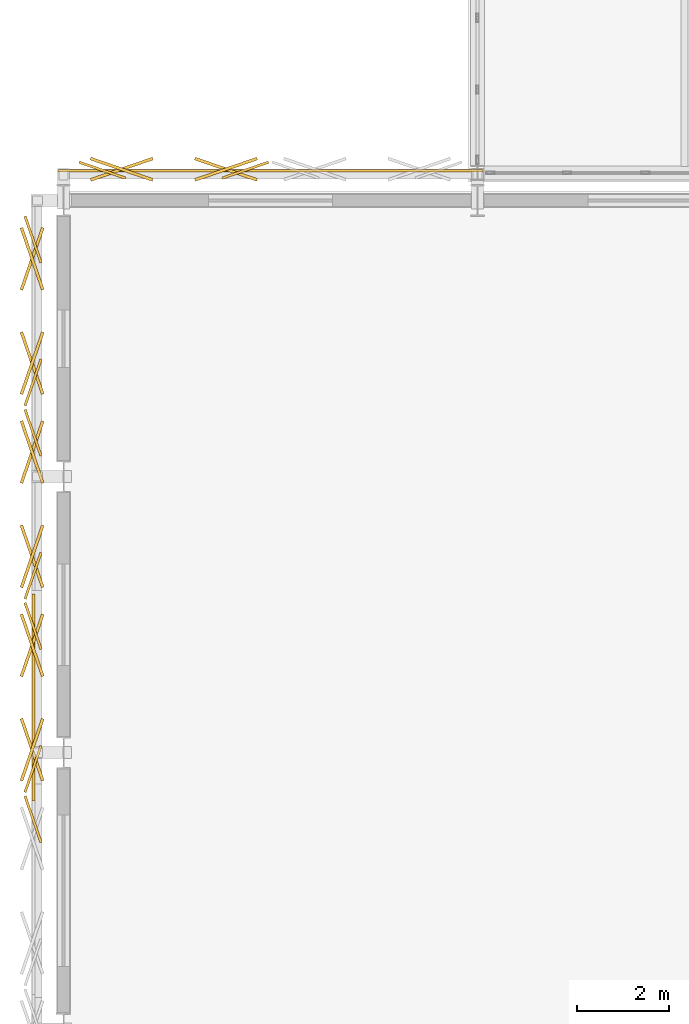
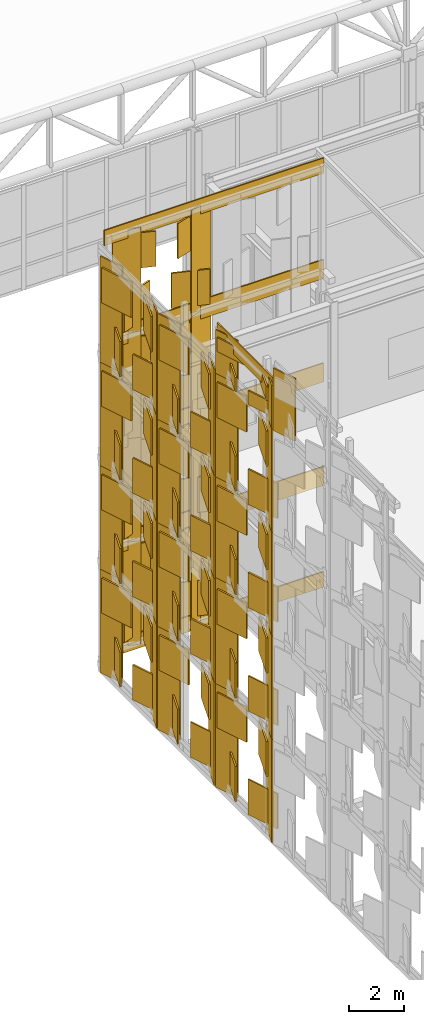
# One storey, part 217 of 239: 109 coverings.
"""IFC4 building model written with IfcOpenShell, lengths in metres."""

from ifc_helpers import new_model, si_unit, direction, frame, origin, origin_2d, place, context, subcontext, project, spatial, rectangle, extrude, material, layer, layer_set, type_object, element, save


model = new_model("IFC4")

# Units and contexts
model_context = context("Model", 3, precision=1e-05, world=origin(), true_north=direction((0.0, 1.0)))
body_context = subcontext(model_context, "Body", "Model", "MODEL_VIEW")
ifc_project = project(units=[si_unit("LENGTHUNIT", "METRE"), si_unit("AREAUNIT", "SQUARE_METRE"), si_unit("VOLUMEUNIT", "CUBIC_METRE"), si_unit("PLANEANGLEUNIT", "RADIAN"), si_unit("MASSUNIT", "GRAM", prefix="KILO")], contexts=[model_context])

# Site, building, storey
site_placement = place(None, origin())
site = spatial("IfcSite", under=ifc_project, at=site_placement, CompositionType="ELEMENT")
building_placement = place(site_placement, origin())
building = spatial("IfcBuilding", under=site, at=building_placement, Name="Kaldris Quays Convention Centre", CompositionType="ELEMENT")
storey_placement = place(building_placement, frame((0.0, 0.0, 11.39990234375)))
storey = spatial("IfcBuildingStorey", under=building, at=storey_placement, Name="L02", CompositionType="ELEMENT", Elevation=11.39990234375)

# Coverings
ifc_material = material(Name="Alabaster white star-pierced anodized aluminium panel", Category="aluminium")
ifc_layer = layer(ifc_material, 0.044921875)
ifc_layer_set = layer_set([ifc_layer], Name="Alabaster white star-pierced anodized aluminium panel")
covering_type = type_object("IfcCoveringType", Name="STAR PIERCED WHITE FOLDED SCREEN CL01", PredefinedType="CLADDING", material=ifc_layer_set)
covering_1_placement = place(storey_placement, frame((24.5, 46.64990234375, -7.8896484375), z_axis=(0.0, 0.0, 1.0), x_axis=(1.0, 0.0, 0.0)))
element("IfcCovering", 1, at=covering_1_placement, inside=storey, type_object=covering_type, Name="V3N White Screen Folded Band 3055", PredefinedType="CLADDING", context=body_context, shape_type="SweptSolid", body=[
    extrude(rectangle(XDim=9.239990234375, YDim=0.054931640625, at=origin_2d()), origin(), (0.0, 0.0, 1.0), 0.679931640625),
])
for number, where, z_axis, x_axis, name in (
    (2, (24.5, 46.64990234375, -3.3701171875), (0.0, 0.0, 1.0), (1.0, 0.0, 0.0), "V3N White Screen Folded Band 3056"),
    (3, (24.5, 46.64990234375, 1.22998046875), (0.0, 0.0, 1.0), (1.0, 0.0, 0.0), "V3N White Screen Folded Band 3057"),
    (4, (24.5, 46.64990234375, 5.830078125), (0.0, 0.0, 1.0), (1.0, 0.0, 0.0), "V3N White Screen Folded Band 3058"),
):
    element("IfcCovering", number, at=place(storey_placement, frame(where, z_axis=z_axis, x_axis=x_axis)), inside=storey, type_object=covering_type, Name=name, PredefinedType="CLADDING", context=body_context, shape_type="SweptSolid", body=[
        extrude(rectangle(XDim=9.239990234375, YDim=0.054931640625, at=origin_2d()), origin(), (0.0, 0.0, 1.0), 0.840087890625),
    ])
covering_2_placement = place(storey_placement, frame((24.5, 46.64990234375, 10.51025390625), z_axis=(0.0, 0.0, 1.0), x_axis=(1.0, 0.0, 0.0)))
element("IfcCovering", 5, at=covering_2_placement, inside=storey, type_object=covering_type, Name="V3N White Screen Folded Band 3059", PredefinedType="CLADDING", context=body_context, shape_type="SweptSolid", body=[
    extrude(rectangle(XDim=9.239990234375, YDim=0.054931640625, at=origin_2d()), origin(), (0.0, 0.0, 1.0), 0.679931640625),
])
for number, where, z_axis, x_axis, name in (
    (6, (20.845947265625, 46.659912109375, -7.60986328125), (0.0, 0.0, 1.0), (0.945518575599, -0.325568154457, 0.0), "V3N Folded White Screen Stile 3060"),
    (7, (23.9541015625, 46.659912109375, -7.60986328125), (0.0, 0.0, 1.0), (0.945518575599, 0.325568154457, 0.0), "V3N Folded White Screen Stile 3061"),
):
    element("IfcCovering", number, at=place(storey_placement, frame(where, z_axis=z_axis, x_axis=x_axis)), inside=storey, type_object=covering_type, Name=name, PredefinedType="CLADDING", context=body_context, shape_type="SweptSolid", body=[
        extrude(rectangle(XDim=1.06591796875, YDim=0.054931640625, at=origin_2d()), origin(), (0.0, 0.0, 1.0), 4.719970703125),
    ])
for number, where, z_axis, x_axis, name in (
    (8, (21.26611328125, 46.679931640625, -7.27392578125), (0.0, 0.0, 1.0), (0.945518575599, 0.325568154457, 0.0), "V3N Carved Star Corner Facet 3062"),
    (9, (21.26611328125, 46.679931640625, -4.789794921875), (0.0, 0.0, 1.0), (0.945518575599, -0.325568154457, 0.0), "V3N Carved Star Corner Facet 3063"),
    (10, (23.533935546875, 46.679931640625, -7.27392578125), (0.0, 0.0, 1.0), (0.945518575599, -0.325568154457, 0.0), "V3N Carved Star Corner Facet 3064"),
    (11, (23.533935546875, 46.679931640625, -4.789794921875), (0.0, 0.0, 1.0), (0.945518575599, 0.325568154457, 0.0), "V3N Carved Star Corner Facet 3065"),
):
    element("IfcCovering", number, at=place(storey_placement, frame(where, z_axis=z_axis, x_axis=x_axis)), inside=storey, type_object=covering_type, Name=name, PredefinedType="CLADDING", context=body_context, shape_type="SweptSolid", body=[
        extrude(rectangle(XDim=1.427978515625, YDim=0.06494140625, at=origin_2d()), origin(), (0.0, 0.0, 1.0), 1.56396484375),
    ])
for number, where, z_axis, x_axis, name in (
    (12, (20.845947265625, 46.659912109375, -3.009765625), (0.0, 0.0, 1.0), (0.945518575599, -0.325568154457, 0.0), "V3N Folded White Screen Stile 3066"),
    (13, (23.9541015625, 46.659912109375, -3.009765625), (0.0, 0.0, 1.0), (0.945518575599, 0.325568154457, 0.0), "V3N Folded White Screen Stile 3067"),
):
    element("IfcCovering", number, at=place(storey_placement, frame(where, z_axis=z_axis, x_axis=x_axis)), inside=storey, type_object=covering_type, Name=name, PredefinedType="CLADDING", context=body_context, shape_type="SweptSolid", body=[
        extrude(rectangle(XDim=1.06591796875, YDim=0.054931640625, at=origin_2d()), origin(), (0.0, 0.0, 1.0), 4.719970703125),
    ])
for number, where, z_axis, x_axis, name in (
    (14, (21.26611328125, 46.679931640625, -2.673828125), (0.0, 0.0, 1.0), (0.945518575599, 0.325568154457, 0.0), "V3N Carved Star Corner Facet 3068"),
    (15, (21.26611328125, 46.679931640625, -0.18994140625), (0.0, 0.0, 1.0), (0.945518575599, -0.325568154457, 0.0), "V3N Carved Star Corner Facet 3069"),
    (16, (23.533935546875, 46.679931640625, -2.673828125), (0.0, 0.0, 1.0), (0.945518575599, -0.325568154457, 0.0), "V3N Carved Star Corner Facet 3070"),
    (17, (23.533935546875, 46.679931640625, -0.18994140625), (0.0, 0.0, 1.0), (0.945518575599, 0.325568154457, 0.0), "V3N Carved Star Corner Facet 3071"),
):
    element("IfcCovering", number, at=place(storey_placement, frame(where, z_axis=z_axis, x_axis=x_axis)), inside=storey, type_object=covering_type, Name=name, PredefinedType="CLADDING", context=body_context, shape_type="SweptSolid", body=[
        extrude(rectangle(XDim=1.427978515625, YDim=0.06494140625, at=origin_2d()), origin(), (0.0, 0.0, 1.0), 1.56396484375),
    ])
for number, where, z_axis, x_axis, name in (
    (18, (20.845947265625, 46.659912109375, 1.59033203125), (0.0, 0.0, 1.0), (0.945518575599, -0.325568154457, 0.0), "V3N Folded White Screen Stile 3072"),
    (19, (23.9541015625, 46.659912109375, 1.59033203125), (0.0, 0.0, 1.0), (0.945518575599, 0.325568154457, 0.0), "V3N Folded White Screen Stile 3073"),
):
    element("IfcCovering", number, at=place(storey_placement, frame(where, z_axis=z_axis, x_axis=x_axis)), inside=storey, type_object=covering_type, Name=name, PredefinedType="CLADDING", context=body_context, shape_type="SweptSolid", body=[
        extrude(rectangle(XDim=1.06591796875, YDim=0.054931640625, at=origin_2d()), origin(), (0.0, 0.0, 1.0), 4.719970703125),
    ])
for number, where, z_axis, x_axis, name in (
    (20, (21.26611328125, 46.679931640625, 1.926025390625), (0.0, 0.0, 1.0), (0.945518575599, 0.325568154457, 0.0), "V3N Carved Star Corner Facet 3074"),
    (21, (21.26611328125, 46.679931640625, 4.41015625), (0.0, 0.0, 1.0), (0.945518575599, -0.325568154457, 0.0), "V3N Carved Star Corner Facet 3075"),
    (22, (23.533935546875, 46.679931640625, 1.926025390625), (0.0, 0.0, 1.0), (0.945518575599, -0.325568154457, 0.0), "V3N Carved Star Corner Facet 3076"),
    (23, (23.533935546875, 46.679931640625, 4.41015625), (0.0, 0.0, 1.0), (0.945518575599, 0.325568154457, 0.0), "V3N Carved Star Corner Facet 3077"),
):
    element("IfcCovering", number, at=place(storey_placement, frame(where, z_axis=z_axis, x_axis=x_axis)), inside=storey, type_object=covering_type, Name=name, PredefinedType="CLADDING", context=body_context, shape_type="SweptSolid", body=[
        extrude(rectangle(XDim=1.427978515625, YDim=0.06494140625, at=origin_2d()), origin(), (0.0, 0.0, 1.0), 1.56396484375),
    ])
for number, where, z_axis, x_axis, name in (
    (24, (20.845947265625, 46.659912109375, 6.18994140625), (0.0, 0.0, 1.0), (0.945518575599, -0.325568154457, 0.0), "V3N Folded White Screen Stile 3078"),
    (25, (23.9541015625, 46.659912109375, 6.18994140625), (0.0, 0.0, 1.0), (0.945518575599, 0.325568154457, 0.0), "V3N Folded White Screen Stile 3079"),
):
    element("IfcCovering", number, at=place(storey_placement, frame(where, z_axis=z_axis, x_axis=x_axis)), inside=storey, type_object=covering_type, Name=name, PredefinedType="CLADDING", context=body_context, shape_type="SweptSolid", body=[
        extrude(rectangle(XDim=1.06591796875, YDim=0.054931640625, at=origin_2d()), origin(), (0.0, 0.0, 1.0), 4.719970703125),
    ])
for number, where, z_axis, x_axis, name in (
    (26, (21.26611328125, 46.679931640625, 6.526123046875), (0.0, 0.0, 1.0), (0.945518575599, 0.325568154457, 0.0), "V3N Carved Star Corner Facet 3080"),
    (27, (21.26611328125, 46.679931640625, 9.010009765625), (0.0, 0.0, 1.0), (0.945518575599, -0.325568154457, 0.0), "V3N Carved Star Corner Facet 3081"),
    (28, (23.533935546875, 46.679931640625, 6.526123046875), (0.0, 0.0, 1.0), (0.945518575599, -0.325568154457, 0.0), "V3N Carved Star Corner Facet 3082"),
    (29, (23.533935546875, 46.679931640625, 9.010009765625), (0.0, 0.0, 1.0), (0.945518575599, 0.325568154457, 0.0), "V3N Carved Star Corner Facet 3083"),
):
    element("IfcCovering", number, at=place(storey_placement, frame(where, z_axis=z_axis, x_axis=x_axis)), inside=storey, type_object=covering_type, Name=name, PredefinedType="CLADDING", context=body_context, shape_type="SweptSolid", body=[
        extrude(rectangle(XDim=1.427978515625, YDim=0.06494140625, at=origin_2d()), origin(), (0.0, 0.0, 1.0), 1.56396484375),
    ])
covering_3_placement = place(storey_placement, frame((19.340087890625, 32.553955078125, 10.7900390625), z_axis=(0.0, 0.0, 1.0), x_axis=(-0.325568154457, 0.945518575599, 0.0)))
element("IfcCovering", 30, at=covering_3_placement, inside=storey, type_object=covering_type, Name="V3W Folded White Screen Stile 3365", PredefinedType="CLADDING", context=body_context, shape_type="SweptSolid", body=[
    extrude(rectangle(XDim=1.06591796875, YDim=0.054931640625, at=origin_2d()), origin(), (0.0, 0.0, 1.0), 2.783935546875),
])
covering_4_placement = place(storey_placement, frame((19.35009765625, 35.199951171875, 12.18408203125), z_axis=(0.0, 0.0, 1.0), x_axis=(0.0, 1.0, 0.0)))
element("IfcCovering", 31, at=covering_4_placement, inside=storey, type_object=covering_type, Name="V3W Gable White Screen Cap Band 3370", PredefinedType="CLADDING", context=body_context, shape_type="SweptSolid", body=[
    extrude(rectangle(XDim=4.5, YDim=0.054931640625, at=origin_2d()), origin(), (0.0, 0.0, 1.0), 0.679931640625),
])
for number, where, z_axis, x_axis, name in (
    (32, (19.340087890625, 33.64599609375, -7.60986328125), (0.0, 0.0, 1.0), (0.325568154457, 0.945518575599, 0.0), "V3W Folded White Screen Stile 3371"),
    (33, (19.340087890625, 36.75390625, -7.60986328125), (0.0, 0.0, 1.0), (-0.325568154457, 0.945518575599, 0.0), "V3W Folded White Screen Stile 3372"),
):
    element("IfcCovering", number, at=place(storey_placement, frame(where, z_axis=z_axis, x_axis=x_axis)), inside=storey, type_object=covering_type, Name=name, PredefinedType="CLADDING", context=body_context, shape_type="SweptSolid", body=[
        extrude(rectangle(XDim=1.06591796875, YDim=0.054931640625, at=origin_2d()), origin(), (0.0, 0.0, 1.0), 4.719970703125),
    ])
for number, where, z_axis, x_axis, name in (
    (34, (19.320068359375, 34.06591796875, -7.27392578125), (0.0, 0.0, 1.0), (-0.325568154457, 0.945518575599, 0.0), "V3W Carved Star Corner Facet 3373"),
    (35, (19.320068359375, 34.06591796875, -4.789794921875), (0.0, 0.0, 1.0), (0.325568154457, 0.945518575599, 0.0), "V3W Carved Star Corner Facet 3374"),
    (36, (19.320068359375, 36.333984375, -7.27392578125), (0.0, 0.0, 1.0), (0.325568154457, 0.945518575599, 0.0), "V3W Carved Star Corner Facet 3375"),
    (37, (19.320068359375, 36.333984375, -4.789794921875), (0.0, 0.0, 1.0), (-0.325568154457, 0.945518575599, 0.0), "V3W Carved Star Corner Facet 3376"),
):
    element("IfcCovering", number, at=place(storey_placement, frame(where, z_axis=z_axis, x_axis=x_axis)), inside=storey, type_object=covering_type, Name=name, PredefinedType="CLADDING", context=body_context, shape_type="SweptSolid", body=[
        extrude(rectangle(XDim=1.427978515625, YDim=0.06494140625, at=origin_2d()), origin(), (0.0, 0.0, 1.0), 1.56396484375),
    ])
for number, where, z_axis, x_axis, name in (
    (38, (19.340087890625, 33.64599609375, -3.009765625), (0.0, 0.0, 1.0), (0.325568154457, 0.945518575599, 0.0), "V3W Folded White Screen Stile 3377"),
    (39, (19.340087890625, 36.75390625, -3.009765625), (0.0, 0.0, 1.0), (-0.325568154457, 0.945518575599, 0.0), "V3W Folded White Screen Stile 3378"),
):
    element("IfcCovering", number, at=place(storey_placement, frame(where, z_axis=z_axis, x_axis=x_axis)), inside=storey, type_object=covering_type, Name=name, PredefinedType="CLADDING", context=body_context, shape_type="SweptSolid", body=[
        extrude(rectangle(XDim=1.06591796875, YDim=0.054931640625, at=origin_2d()), origin(), (0.0, 0.0, 1.0), 4.719970703125),
    ])
for number, where, z_axis, x_axis, name in (
    (40, (19.320068359375, 34.06591796875, -2.673828125), (0.0, 0.0, 1.0), (-0.325568154457, 0.945518575599, 0.0), "V3W Carved Star Corner Facet 3379"),
    (41, (19.320068359375, 34.06591796875, -0.18994140625), (0.0, 0.0, 1.0), (0.325568154457, 0.945518575599, 0.0), "V3W Carved Star Corner Facet 3380"),
    (42, (19.320068359375, 36.333984375, -2.673828125), (0.0, 0.0, 1.0), (0.325568154457, 0.945518575599, 0.0), "V3W Carved Star Corner Facet 3381"),
    (43, (19.320068359375, 36.333984375, -0.18994140625), (0.0, 0.0, 1.0), (-0.325568154457, 0.945518575599, 0.0), "V3W Carved Star Corner Facet 3382"),
):
    element("IfcCovering", number, at=place(storey_placement, frame(where, z_axis=z_axis, x_axis=x_axis)), inside=storey, type_object=covering_type, Name=name, PredefinedType="CLADDING", context=body_context, shape_type="SweptSolid", body=[
        extrude(rectangle(XDim=1.427978515625, YDim=0.06494140625, at=origin_2d()), origin(), (0.0, 0.0, 1.0), 1.56396484375),
    ])
for number, where, z_axis, x_axis, name in (
    (44, (19.340087890625, 33.64599609375, 1.59033203125), (0.0, 0.0, 1.0), (0.325568154457, 0.945518575599, 0.0), "V3W Folded White Screen Stile 3383"),
    (45, (19.340087890625, 36.75390625, 1.59033203125), (0.0, 0.0, 1.0), (-0.325568154457, 0.945518575599, 0.0), "V3W Folded White Screen Stile 3384"),
):
    element("IfcCovering", number, at=place(storey_placement, frame(where, z_axis=z_axis, x_axis=x_axis)), inside=storey, type_object=covering_type, Name=name, PredefinedType="CLADDING", context=body_context, shape_type="SweptSolid", body=[
        extrude(rectangle(XDim=1.06591796875, YDim=0.054931640625, at=origin_2d()), origin(), (0.0, 0.0, 1.0), 4.719970703125),
    ])
for number, where, z_axis, x_axis, name in (
    (46, (19.320068359375, 34.06591796875, 1.926025390625), (0.0, 0.0, 1.0), (-0.325568154457, 0.945518575599, 0.0), "V3W Carved Star Corner Facet 3385"),
    (47, (19.320068359375, 34.06591796875, 4.41015625), (0.0, 0.0, 1.0), (0.325568154457, 0.945518575599, 0.0), "V3W Carved Star Corner Facet 3386"),
    (48, (19.320068359375, 36.333984375, 1.926025390625), (0.0, 0.0, 1.0), (0.325568154457, 0.945518575599, 0.0), "V3W Carved Star Corner Facet 3387"),
    (49, (19.320068359375, 36.333984375, 4.41015625), (0.0, 0.0, 1.0), (-0.325568154457, 0.945518575599, 0.0), "V3W Carved Star Corner Facet 3388"),
):
    element("IfcCovering", number, at=place(storey_placement, frame(where, z_axis=z_axis, x_axis=x_axis)), inside=storey, type_object=covering_type, Name=name, PredefinedType="CLADDING", context=body_context, shape_type="SweptSolid", body=[
        extrude(rectangle(XDim=1.427978515625, YDim=0.06494140625, at=origin_2d()), origin(), (0.0, 0.0, 1.0), 1.56396484375),
    ])
for number, where, z_axis, x_axis, name in (
    (50, (19.340087890625, 33.64599609375, 6.18994140625), (0.0, 0.0, 1.0), (0.325568154457, 0.945518575599, 0.0), "V3W Folded White Screen Stile 3389"),
    (51, (19.340087890625, 36.75390625, 6.18994140625), (0.0, 0.0, 1.0), (-0.325568154457, 0.945518575599, 0.0), "V3W Folded White Screen Stile 3390"),
):
    element("IfcCovering", number, at=place(storey_placement, frame(where, z_axis=z_axis, x_axis=x_axis)), inside=storey, type_object=covering_type, Name=name, PredefinedType="CLADDING", context=body_context, shape_type="SweptSolid", body=[
        extrude(rectangle(XDim=1.06591796875, YDim=0.054931640625, at=origin_2d()), origin(), (0.0, 0.0, 1.0), 4.719970703125),
    ])
for number, where, z_axis, x_axis, name in (
    (52, (19.320068359375, 34.06591796875, 6.526123046875), (0.0, 0.0, 1.0), (-0.325568154457, 0.945518575599, 0.0), "V3W Carved Star Corner Facet 3391"),
    (53, (19.320068359375, 34.06591796875, 9.010009765625), (0.0, 0.0, 1.0), (0.325568154457, 0.945518575599, 0.0), "V3W Carved Star Corner Facet 3392"),
    (54, (19.320068359375, 36.333984375, 6.526123046875), (0.0, 0.0, 1.0), (0.325568154457, 0.945518575599, 0.0), "V3W Carved Star Corner Facet 3393"),
    (55, (19.320068359375, 36.333984375, 9.010009765625), (0.0, 0.0, 1.0), (-0.325568154457, 0.945518575599, 0.0), "V3W Carved Star Corner Facet 3394"),
):
    element("IfcCovering", number, at=place(storey_placement, frame(where, z_axis=z_axis, x_axis=x_axis)), inside=storey, type_object=covering_type, Name=name, PredefinedType="CLADDING", context=body_context, shape_type="SweptSolid", body=[
        extrude(rectangle(XDim=1.427978515625, YDim=0.06494140625, at=origin_2d()), origin(), (0.0, 0.0, 1.0), 1.56396484375),
    ])
for number, where, z_axis, x_axis, name in (
    (56, (19.340087890625, 33.64599609375, 10.7900390625), (0.0, 0.0, 1.0), (0.325568154457, 0.945518575599, 0.0), "V3W Folded White Screen Stile 3395"),
    (57, (19.340087890625, 36.75390625, 10.7900390625), (0.0, 0.0, 1.0), (-0.325568154457, 0.945518575599, 0.0), "V3W Folded White Screen Stile 3396"),
):
    element("IfcCovering", number, at=place(storey_placement, frame(where, z_axis=z_axis, x_axis=x_axis)), inside=storey, type_object=covering_type, Name=name, PredefinedType="CLADDING", context=body_context, shape_type="SweptSolid", body=[
        extrude(rectangle(XDim=1.06591796875, YDim=0.054931640625, at=origin_2d()), origin(), (0.0, 0.0, 1.0), 1.944091796875),
    ])
for number, where, z_axis, x_axis, name in (
    (58, (19.320068359375, 34.06591796875, 10.95947265625), (0.0, 0.0, 1.0), (-0.325568154457, 0.945518575599, 0.0), "V3W Carved Star Corner Facet 3397"),
    (59, (19.320068359375, 34.06591796875, 11.944580078125), (0.0, 0.0, 1.0), (0.325568154457, 0.945518575599, 0.0), "V3W Carved Star Corner Facet 3398"),
    (60, (19.320068359375, 36.333984375, 10.95947265625), (0.0, 0.0, 1.0), (0.325568154457, 0.945518575599, 0.0), "V3W Carved Star Corner Facet 3399"),
    (61, (19.320068359375, 36.333984375, 11.944580078125), (0.0, 0.0, 1.0), (-0.325568154457, 0.945518575599, 0.0), "V3W Carved Star Corner Facet 3400"),
):
    element("IfcCovering", number, at=place(storey_placement, frame(where, z_axis=z_axis, x_axis=x_axis)), inside=storey, type_object=covering_type, Name=name, PredefinedType="CLADDING", context=body_context, shape_type="SweptSolid", body=[
        extrude(rectangle(XDim=1.427978515625, YDim=0.06494140625, at=origin_2d()), origin(), (0.0, 0.0, 1.0), 0.6201171875),
    ])
for number, where, z_axis, x_axis, name in (
    (62, (19.340087890625, 37.845947265625, -7.60986328125), (0.0, 0.0, 1.0), (0.325568154457, 0.945518575599, 0.0), "V3W Folded White Screen Stile 3401"),
    (63, (19.340087890625, 40.9541015625, -7.60986328125), (0.0, 0.0, 1.0), (-0.325568154457, 0.945518575599, 0.0), "V3W Folded White Screen Stile 3402"),
):
    element("IfcCovering", number, at=place(storey_placement, frame(where, z_axis=z_axis, x_axis=x_axis)), inside=storey, type_object=covering_type, Name=name, PredefinedType="CLADDING", context=body_context, shape_type="SweptSolid", body=[
        extrude(rectangle(XDim=1.06591796875, YDim=0.054931640625, at=origin_2d()), origin(), (0.0, 0.0, 1.0), 4.719970703125),
    ])
for number, where, z_axis, x_axis, name in (
    (64, (19.320068359375, 38.26611328125, -7.27392578125), (0.0, 0.0, 1.0), (-0.325568154457, 0.945518575599, 0.0), "V3W Carved Star Corner Facet 3403"),
    (65, (19.320068359375, 38.26611328125, -4.789794921875), (0.0, 0.0, 1.0), (0.325568154457, 0.945518575599, 0.0), "V3W Carved Star Corner Facet 3404"),
    (66, (19.320068359375, 40.533935546875, -7.27392578125), (0.0, 0.0, 1.0), (0.325568154457, 0.945518575599, 0.0), "V3W Carved Star Corner Facet 3405"),
    (67, (19.320068359375, 40.533935546875, -4.789794921875), (0.0, 0.0, 1.0), (-0.325568154457, 0.945518575599, 0.0), "V3W Carved Star Corner Facet 3406"),
):
    element("IfcCovering", number, at=place(storey_placement, frame(where, z_axis=z_axis, x_axis=x_axis)), inside=storey, type_object=covering_type, Name=name, PredefinedType="CLADDING", context=body_context, shape_type="SweptSolid", body=[
        extrude(rectangle(XDim=1.427978515625, YDim=0.06494140625, at=origin_2d()), origin(), (0.0, 0.0, 1.0), 1.56396484375),
    ])
for number, where, z_axis, x_axis, name in (
    (68, (19.340087890625, 37.845947265625, -3.009765625), (0.0, 0.0, 1.0), (0.325568154457, 0.945518575599, 0.0), "V3W Folded White Screen Stile 3407"),
    (69, (19.340087890625, 40.9541015625, -3.009765625), (0.0, 0.0, 1.0), (-0.325568154457, 0.945518575599, 0.0), "V3W Folded White Screen Stile 3408"),
):
    element("IfcCovering", number, at=place(storey_placement, frame(where, z_axis=z_axis, x_axis=x_axis)), inside=storey, type_object=covering_type, Name=name, PredefinedType="CLADDING", context=body_context, shape_type="SweptSolid", body=[
        extrude(rectangle(XDim=1.06591796875, YDim=0.054931640625, at=origin_2d()), origin(), (0.0, 0.0, 1.0), 4.719970703125),
    ])
for number, where, z_axis, x_axis, name in (
    (70, (19.320068359375, 38.26611328125, -2.673828125), (0.0, 0.0, 1.0), (-0.325568154457, 0.945518575599, 0.0), "V3W Carved Star Corner Facet 3409"),
    (71, (19.320068359375, 38.26611328125, -0.18994140625), (0.0, 0.0, 1.0), (0.325568154457, 0.945518575599, 0.0), "V3W Carved Star Corner Facet 3410"),
    (72, (19.320068359375, 40.533935546875, -2.673828125), (0.0, 0.0, 1.0), (0.325568154457, 0.945518575599, 0.0), "V3W Carved Star Corner Facet 3411"),
    (73, (19.320068359375, 40.533935546875, -0.18994140625), (0.0, 0.0, 1.0), (-0.325568154457, 0.945518575599, 0.0), "V3W Carved Star Corner Facet 3412"),
):
    element("IfcCovering", number, at=place(storey_placement, frame(where, z_axis=z_axis, x_axis=x_axis)), inside=storey, type_object=covering_type, Name=name, PredefinedType="CLADDING", context=body_context, shape_type="SweptSolid", body=[
        extrude(rectangle(XDim=1.427978515625, YDim=0.06494140625, at=origin_2d()), origin(), (0.0, 0.0, 1.0), 1.56396484375),
    ])
for number, where, z_axis, x_axis, name in (
    (74, (19.340087890625, 37.845947265625, 1.59033203125), (0.0, 0.0, 1.0), (0.325568154457, 0.945518575599, 0.0), "V3W Folded White Screen Stile 3413"),
    (75, (19.340087890625, 40.9541015625, 1.59033203125), (0.0, 0.0, 1.0), (-0.325568154457, 0.945518575599, 0.0), "V3W Folded White Screen Stile 3414"),
):
    element("IfcCovering", number, at=place(storey_placement, frame(where, z_axis=z_axis, x_axis=x_axis)), inside=storey, type_object=covering_type, Name=name, PredefinedType="CLADDING", context=body_context, shape_type="SweptSolid", body=[
        extrude(rectangle(XDim=1.06591796875, YDim=0.054931640625, at=origin_2d()), origin(), (0.0, 0.0, 1.0), 4.719970703125),
    ])
for number, where, z_axis, x_axis, name in (
    (76, (19.320068359375, 38.26611328125, 1.926025390625), (0.0, 0.0, 1.0), (-0.325568154457, 0.945518575599, 0.0), "V3W Carved Star Corner Facet 3415"),
    (77, (19.320068359375, 38.26611328125, 4.41015625), (0.0, 0.0, 1.0), (0.325568154457, 0.945518575599, 0.0), "V3W Carved Star Corner Facet 3416"),
    (78, (19.320068359375, 40.533935546875, 1.926025390625), (0.0, 0.0, 1.0), (0.325568154457, 0.945518575599, 0.0), "V3W Carved Star Corner Facet 3417"),
    (79, (19.320068359375, 40.533935546875, 4.41015625), (0.0, 0.0, 1.0), (-0.325568154457, 0.945518575599, 0.0), "V3W Carved Star Corner Facet 3418"),
):
    element("IfcCovering", number, at=place(storey_placement, frame(where, z_axis=z_axis, x_axis=x_axis)), inside=storey, type_object=covering_type, Name=name, PredefinedType="CLADDING", context=body_context, shape_type="SweptSolid", body=[
        extrude(rectangle(XDim=1.427978515625, YDim=0.06494140625, at=origin_2d()), origin(), (0.0, 0.0, 1.0), 1.56396484375),
    ])
for number, where, z_axis, x_axis, name in (
    (80, (19.340087890625, 37.845947265625, 6.18994140625), (0.0, 0.0, 1.0), (0.325568154457, 0.945518575599, 0.0), "V3W Folded White Screen Stile 3419"),
    (81, (19.340087890625, 40.9541015625, 6.18994140625), (0.0, 0.0, 1.0), (-0.325568154457, 0.945518575599, 0.0), "V3W Folded White Screen Stile 3420"),
):
    element("IfcCovering", number, at=place(storey_placement, frame(where, z_axis=z_axis, x_axis=x_axis)), inside=storey, type_object=covering_type, Name=name, PredefinedType="CLADDING", context=body_context, shape_type="SweptSolid", body=[
        extrude(rectangle(XDim=1.06591796875, YDim=0.054931640625, at=origin_2d()), origin(), (0.0, 0.0, 1.0), 4.719970703125),
    ])
for number, where, z_axis, x_axis, name in (
    (82, (19.320068359375, 38.26611328125, 6.526123046875), (0.0, 0.0, 1.0), (-0.325568154457, 0.945518575599, 0.0), "V3W Carved Star Corner Facet 3421"),
    (83, (19.320068359375, 38.26611328125, 9.010009765625), (0.0, 0.0, 1.0), (0.325568154457, 0.945518575599, 0.0), "V3W Carved Star Corner Facet 3422"),
    (84, (19.320068359375, 40.533935546875, 6.526123046875), (0.0, 0.0, 1.0), (0.325568154457, 0.945518575599, 0.0), "V3W Carved Star Corner Facet 3423"),
    (85, (19.320068359375, 40.533935546875, 9.010009765625), (0.0, 0.0, 1.0), (-0.325568154457, 0.945518575599, 0.0), "V3W Carved Star Corner Facet 3424"),
):
    element("IfcCovering", number, at=place(storey_placement, frame(where, z_axis=z_axis, x_axis=x_axis)), inside=storey, type_object=covering_type, Name=name, PredefinedType="CLADDING", context=body_context, shape_type="SweptSolid", body=[
        extrude(rectangle(XDim=1.427978515625, YDim=0.06494140625, at=origin_2d()), origin(), (0.0, 0.0, 1.0), 1.56396484375),
    ])
for number, where, z_axis, x_axis, name in (
    (86, (19.340087890625, 42.0458984375, -7.60986328125), (0.0, 0.0, 1.0), (0.325568154457, 0.945518575599, 0.0), "V3W Folded White Screen Stile 3425"),
    (87, (19.340087890625, 45.154052734375, -7.60986328125), (0.0, 0.0, 1.0), (-0.325568154457, 0.945518575599, 0.0), "V3W Folded White Screen Stile 3426"),
):
    element("IfcCovering", number, at=place(storey_placement, frame(where, z_axis=z_axis, x_axis=x_axis)), inside=storey, type_object=covering_type, Name=name, PredefinedType="CLADDING", context=body_context, shape_type="SweptSolid", body=[
        extrude(rectangle(XDim=1.06591796875, YDim=0.054931640625, at=origin_2d()), origin(), (0.0, 0.0, 1.0), 4.719970703125),
    ])
for number, where, z_axis, x_axis, name in (
    (88, (19.320068359375, 42.466064453125, -7.27392578125), (0.0, 0.0, 1.0), (-0.325568154457, 0.945518575599, 0.0), "V3W Carved Star Corner Facet 3427"),
    (89, (19.320068359375, 42.466064453125, -4.789794921875), (0.0, 0.0, 1.0), (0.325568154457, 0.945518575599, 0.0), "V3W Carved Star Corner Facet 3428"),
    (90, (19.320068359375, 44.73388671875, -7.27392578125), (0.0, 0.0, 1.0), (0.325568154457, 0.945518575599, 0.0), "V3W Carved Star Corner Facet 3429"),
    (91, (19.320068359375, 44.73388671875, -4.789794921875), (0.0, 0.0, 1.0), (-0.325568154457, 0.945518575599, 0.0), "V3W Carved Star Corner Facet 3430"),
):
    element("IfcCovering", number, at=place(storey_placement, frame(where, z_axis=z_axis, x_axis=x_axis)), inside=storey, type_object=covering_type, Name=name, PredefinedType="CLADDING", context=body_context, shape_type="SweptSolid", body=[
        extrude(rectangle(XDim=1.427978515625, YDim=0.06494140625, at=origin_2d()), origin(), (0.0, 0.0, 1.0), 1.56396484375),
    ])
for number, where, z_axis, x_axis, name in (
    (92, (19.340087890625, 42.0458984375, -3.009765625), (0.0, 0.0, 1.0), (0.325568154457, 0.945518575599, 0.0), "V3W Folded White Screen Stile 3431"),
    (93, (19.340087890625, 45.154052734375, -3.009765625), (0.0, 0.0, 1.0), (-0.325568154457, 0.945518575599, 0.0), "V3W Folded White Screen Stile 3432"),
):
    element("IfcCovering", number, at=place(storey_placement, frame(where, z_axis=z_axis, x_axis=x_axis)), inside=storey, type_object=covering_type, Name=name, PredefinedType="CLADDING", context=body_context, shape_type="SweptSolid", body=[
        extrude(rectangle(XDim=1.06591796875, YDim=0.054931640625, at=origin_2d()), origin(), (0.0, 0.0, 1.0), 4.719970703125),
    ])
for number, where, z_axis, x_axis, name in (
    (94, (19.320068359375, 42.466064453125, -2.673828125), (0.0, 0.0, 1.0), (-0.325568154457, 0.945518575599, 0.0), "V3W Carved Star Corner Facet 3433"),
    (95, (19.320068359375, 42.466064453125, -0.18994140625), (0.0, 0.0, 1.0), (0.325568154457, 0.945518575599, 0.0), "V3W Carved Star Corner Facet 3434"),
    (96, (19.320068359375, 44.73388671875, -2.673828125), (0.0, 0.0, 1.0), (0.325568154457, 0.945518575599, 0.0), "V3W Carved Star Corner Facet 3435"),
    (97, (19.320068359375, 44.73388671875, -0.18994140625), (0.0, 0.0, 1.0), (-0.325568154457, 0.945518575599, 0.0), "V3W Carved Star Corner Facet 3436"),
):
    element("IfcCovering", number, at=place(storey_placement, frame(where, z_axis=z_axis, x_axis=x_axis)), inside=storey, type_object=covering_type, Name=name, PredefinedType="CLADDING", context=body_context, shape_type="SweptSolid", body=[
        extrude(rectangle(XDim=1.427978515625, YDim=0.06494140625, at=origin_2d()), origin(), (0.0, 0.0, 1.0), 1.56396484375),
    ])
for number, where, z_axis, x_axis, name in (
    (98, (19.340087890625, 42.0458984375, 1.59033203125), (0.0, 0.0, 1.0), (0.325568154457, 0.945518575599, 0.0), "V3W Folded White Screen Stile 3437"),
    (99, (19.340087890625, 45.154052734375, 1.59033203125), (0.0, 0.0, 1.0), (-0.325568154457, 0.945518575599, 0.0), "V3W Folded White Screen Stile 3438"),
):
    element("IfcCovering", number, at=place(storey_placement, frame(where, z_axis=z_axis, x_axis=x_axis)), inside=storey, type_object=covering_type, Name=name, PredefinedType="CLADDING", context=body_context, shape_type="SweptSolid", body=[
        extrude(rectangle(XDim=1.06591796875, YDim=0.054931640625, at=origin_2d()), origin(), (0.0, 0.0, 1.0), 4.719970703125),
    ])
for number, where, z_axis, x_axis, name in (
    (100, (19.320068359375, 42.466064453125, 1.926025390625), (0.0, 0.0, 1.0), (-0.325568154457, 0.945518575599, 0.0), "V3W Carved Star Corner Facet 3439"),
    (101, (19.320068359375, 42.466064453125, 4.41015625), (0.0, 0.0, 1.0), (0.325568154457, 0.945518575599, 0.0), "V3W Carved Star Corner Facet 3440"),
    (102, (19.320068359375, 44.73388671875, 1.926025390625), (0.0, 0.0, 1.0), (0.325568154457, 0.945518575599, 0.0), "V3W Carved Star Corner Facet 3441"),
    (103, (19.320068359375, 44.73388671875, 4.41015625), (0.0, 0.0, 1.0), (-0.325568154457, 0.945518575599, 0.0), "V3W Carved Star Corner Facet 3442"),
):
    element("IfcCovering", number, at=place(storey_placement, frame(where, z_axis=z_axis, x_axis=x_axis)), inside=storey, type_object=covering_type, Name=name, PredefinedType="CLADDING", context=body_context, shape_type="SweptSolid", body=[
        extrude(rectangle(XDim=1.427978515625, YDim=0.06494140625, at=origin_2d()), origin(), (0.0, 0.0, 1.0), 1.56396484375),
    ])
for number, where, z_axis, x_axis, name in (
    (104, (19.340087890625, 42.0458984375, 6.18994140625), (0.0, 0.0, 1.0), (0.325568154457, 0.945518575599, 0.0), "V3W Folded White Screen Stile 3443"),
    (105, (19.340087890625, 45.154052734375, 6.18994140625), (0.0, 0.0, 1.0), (-0.325568154457, 0.945518575599, 0.0), "V3W Folded White Screen Stile 3444"),
):
    element("IfcCovering", number, at=place(storey_placement, frame(where, z_axis=z_axis, x_axis=x_axis)), inside=storey, type_object=covering_type, Name=name, PredefinedType="CLADDING", context=body_context, shape_type="SweptSolid", body=[
        extrude(rectangle(XDim=1.06591796875, YDim=0.054931640625, at=origin_2d()), origin(), (0.0, 0.0, 1.0), 4.719970703125),
    ])
for number, where, z_axis, x_axis, name in (
    (106, (19.320068359375, 42.466064453125, 6.526123046875), (0.0, 0.0, 1.0), (-0.325568154457, 0.945518575599, 0.0), "V3W Carved Star Corner Facet 3445"),
    (107, (19.320068359375, 42.466064453125, 9.010009765625), (0.0, 0.0, 1.0), (0.325568154457, 0.945518575599, 0.0), "V3W Carved Star Corner Facet 3446"),
    (108, (19.320068359375, 44.73388671875, 6.526123046875), (0.0, 0.0, 1.0), (0.325568154457, 0.945518575599, 0.0), "V3W Carved Star Corner Facet 3447"),
    (109, (19.320068359375, 44.73388671875, 9.010009765625), (0.0, 0.0, 1.0), (-0.325568154457, 0.945518575599, 0.0), "V3W Carved Star Corner Facet 3448"),
):
    element("IfcCovering", number, at=place(storey_placement, frame(where, z_axis=z_axis, x_axis=x_axis)), inside=storey, type_object=covering_type, Name=name, PredefinedType="CLADDING", context=body_context, shape_type="SweptSolid", body=[
        extrude(rectangle(XDim=1.427978515625, YDim=0.06494140625, at=origin_2d()), origin(), (0.0, 0.0, 1.0), 1.56396484375),
    ])

save(model, "model.ifc")
